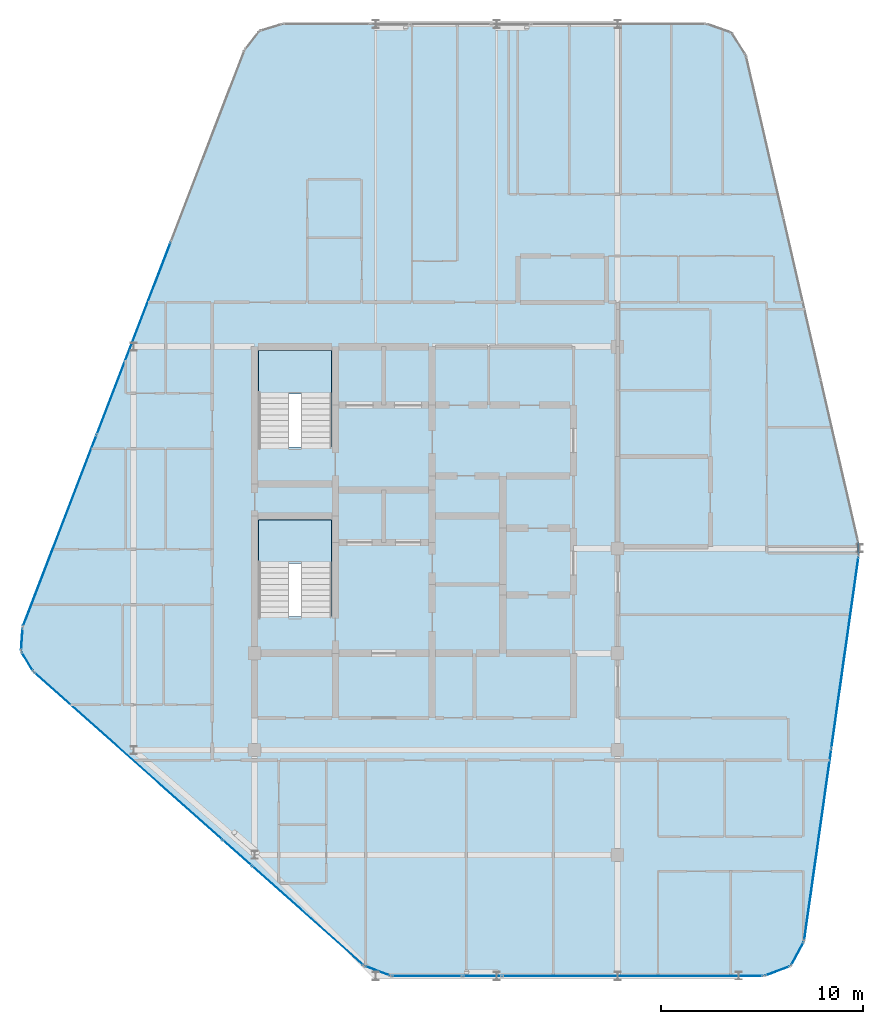
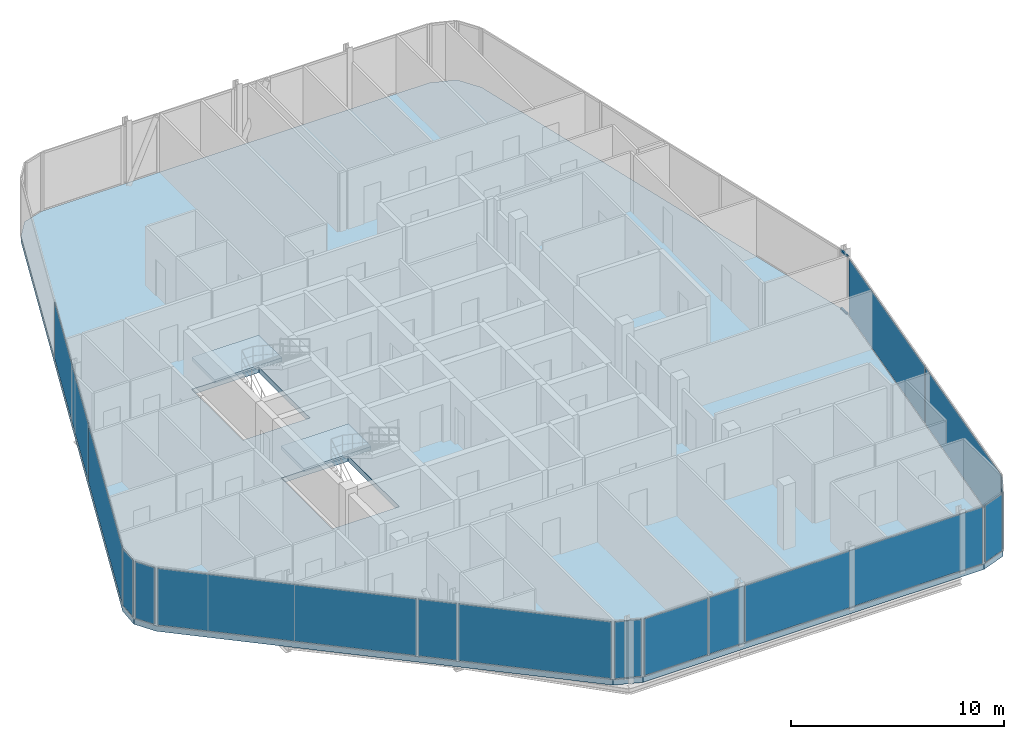
# One storey, part 20 of 27: 15 plates, 3 slabs, 2 members, 16 elements without a shape of their own.
"""IFC4 building model written with IfcOpenShell, lengths in metres."""

import ifcopenshell
import ifcopenshell.guid

model = None  # the IFC model being written
_history = None  # IfcOwnerHistory: only IFC2X3 demands one
_inside = {}  # id of a spatial element -> (the spatial element, [elements in it])
_under = {}  # id of a project, library or spatial element -> (it, [spatial elements below it])
_declared = {}  # id of a project -> (the project, [libraries it declares])
_typed = {}  # id of a type object -> (the type object, [elements of that type])
_made_of = {}  # id of a material, layer set ... -> (it, [elements and type objects made of it])


def new_model(schema):
    """Start an empty IFC model of exactly this schema.

    Asked for "IFC4X3", IfcOpenShell would pick the latest addendum, in which some entities
    have other attributes; the version numbers below select the first issue.
    IFC2X3 requires an IfcOwnerHistory on every rooted entity: one is made here for all.
    """
    global model, _history
    if schema == "IFC4X3":
        model = ifcopenshell.file(schema_version=(4, 3, 0, 0))
    else:
        model = ifcopenshell.file(schema=schema)
    _inside.clear()
    _under.clear()
    _declared.clear()
    _typed.clear()
    _made_of.clear()
    _history = None
    if model.schema == "IFC2X3":
        org = make("IfcOrganization", Name="unknown")
        user = make(
            "IfcPersonAndOrganization",
            ThePerson=make("IfcPerson", FamilyName="unknown"),
            TheOrganization=org,
        )
        app = make(
            "IfcApplication",
            ApplicationDeveloper=org,
            Version="unknown",
            ApplicationFullName="unknown",
            ApplicationIdentifier="unknown",
        )
        _history = make(
            "IfcOwnerHistory",
            OwningUser=user,
            OwningApplication=app,
            ChangeAction="ADDED",
            CreationDate=0,
        )
    return model


def make(cls, **values):
    """One entity of the class cls with the attributes given. An attribute that is None is left unset."""
    return model.create_entity(
        cls, **{name: value for name, value in values.items() if value is not None}
    )


def rooted(cls, **values):
    """An entity with a GlobalId (a new one), such as an element, a storey or a relation."""
    return make(cls, GlobalId=ifcopenshell.guid.new(), OwnerHistory=_history, **values)


def si_unit(unit_type, name, prefix=None):
    """IfcSIUnit, for example si_unit("LENGTHUNIT", "METRE", prefix="MILLI")."""
    return make("IfcSIUnit", UnitType=unit_type, Prefix=prefix, Name=name)


def assignment(units):
    """IfcUnitAssignment: the units of a project."""
    return None if units is None else make("IfcUnitAssignment", Units=units)


def point(xyz):
    """IfcCartesianPoint."""
    return None if xyz is None else make("IfcCartesianPoint", Coordinates=xyz)


def direction(xyz):
    """IfcDirection."""
    return None if xyz is None else make("IfcDirection", DirectionRatios=xyz)


def frame(location, z_axis=None, x_axis=None):
    """IfcAxis2Placement3D, a coordinate frame: its origin and axes. An axis left out is left unset."""
    return make(
        "IfcAxis2Placement3D",
        Location=point(location),
        Axis=direction(z_axis),
        RefDirection=direction(x_axis),
    )


def frame_2d(location, x_axis=None):
    """IfcAxis2Placement2D, a coordinate frame in the plane: its origin and x axis."""
    return make(
        "IfcAxis2Placement2D", Location=point(location), RefDirection=direction(x_axis)
    )


def origin():
    """The frame at (0, 0, 0) with its axes left unset."""
    return frame((0.0, 0.0, 0.0))


def origin_2d():
    """The frame at (0, 0) in the plane with its x axis left unset."""
    return frame_2d((0.0, 0.0))


def place(relative_to, where):
    """IfcLocalPlacement: puts the frame where relative to a parent placement (None: the world)."""
    return make(
        "IfcLocalPlacement", PlacementRelTo=relative_to, RelativePlacement=where
    )


def context(
    kind, dimensions, precision=None, world=None, true_north=None, identifier=None
):
    """IfcGeometricRepresentationContext, for example the 3D "Model" context."""
    return make(
        "IfcGeometricRepresentationContext",
        ContextIdentifier=identifier,
        ContextType=kind,
        CoordinateSpaceDimension=dimensions,
        Precision=precision,
        WorldCoordinateSystem=world,
        TrueNorth=true_north,
    )


def subcontext(parent, identifier, kind, view, scale=None):
    """IfcGeometricRepresentationSubContext, for example "Body" below "Model"."""
    return make(
        "IfcGeometricRepresentationSubContext",
        ContextIdentifier=identifier,
        ContextType=kind,
        ParentContext=parent,
        TargetScale=scale,
        TargetView=view,
    )


def project(units=None, contexts=None):
    """IfcProject with its units and contexts."""
    return rooted(
        "IfcProject",
        Name="project",
        RepresentationContexts=contexts,
        UnitsInContext=assignment(units),
    )


def spatial(cls, under=None, at=None, **own):
    """A site, building, storey or space (cls), placed at a placement, below another one or the project."""
    s = rooted(cls, ObjectPlacement=at, **own)
    if under is not None:
        _under.setdefault(under.id(), (under, []))[1].append(s)
    return s


def polyline(points):
    """IfcPolyline through the points."""
    return make("IfcPolyline", Points=[point(p) for p in points])


def profile(cls, at=None, kind="AREA", **sizes):
    """A parametric profile (cls). Its sizes go by their IFC names, for example OverallWidth=200.0."""
    return make(cls, ProfileType=kind, Position=at, **sizes)


def rectangle(**sizes):
    """IfcRectangleProfileDef."""
    return profile("IfcRectangleProfileDef", **sizes)


def hollow_rectangle(**sizes):
    """IfcRectangleHollowProfileDef."""
    return profile("IfcRectangleHollowProfileDef", **sizes)


def outline(outer, holes=None, kind="AREA"):
    """IfcArbitraryClosedProfileDef: a profile drawn as a closed curve; with holes, ...WithVoids."""
    if holes is None:
        return make("IfcArbitraryClosedProfileDef", ProfileType=kind, OuterCurve=outer)
    return make(
        "IfcArbitraryProfileDefWithVoids",
        ProfileType=kind,
        OuterCurve=outer,
        InnerCurves=holes,
    )


def extrude(swept, where, along, depth):
    """IfcExtrudedAreaSolid: the profile swept, set in the frame where, extruded along a direction by depth."""
    return make(
        "IfcExtrudedAreaSolid",
        SweptArea=swept,
        Position=where,
        ExtrudedDirection=direction(along),
        Depth=depth,
    )


def shape(context_of_items, identifier, shape_type, items):
    """IfcShapeRepresentation: the items that make up one representation, for example the "Body"."""
    return make(
        "IfcShapeRepresentation",
        ContextOfItems=context_of_items,
        RepresentationIdentifier=identifier,
        RepresentationType=shape_type,
        Items=items,
    )


def material(Name=None, Category=None):
    """IfcMaterial."""
    return make("IfcMaterial", Name=Name, Category=Category)


def layer(
    of_material, thickness, ventilated=None, Name=None, Category=None, Priority=None
):
    """IfcMaterialLayer: one layer of a wall or slab, of a material (None: an air gap)."""
    return make(
        "IfcMaterialLayer",
        Material=of_material,
        LayerThickness=thickness,
        IsVentilated=ventilated,
        Name=Name,
        Category=Category,
        Priority=Priority,
    )


def layer_set(layers, Name=None):
    """IfcMaterialLayerSet."""
    return make("IfcMaterialLayerSet", MaterialLayers=layers, LayerSetName=Name)


def material_profile(
    of_material, cross_section, Name=None, Category=None, Priority=None
):
    """IfcMaterialProfile: a cross section and its material."""
    return make(
        "IfcMaterialProfile",
        Name=Name,
        Material=of_material,
        Profile=cross_section,
        Priority=Priority,
        Category=Category,
    )


def profile_set(profiles, Name=None, composite=None):
    """IfcMaterialProfileSet."""
    return make(
        "IfcMaterialProfileSet",
        Name=Name,
        MaterialProfiles=profiles,
        CompositeProfile=composite,
    )


def made_of(thing, what):
    """Note that an element or type object is made of a material, layer set ...; save() writes the relation."""
    if what is not None:
        _made_of.setdefault(what.id(), (what, []))[1].append(thing)
    return thing


def type_object(cls, material=None, **own):
    """A type object (cls), such as IfcWallType, which elements share."""
    return made_of(rooted(cls, **own), material)


def element(
    cls,
    number,
    at=None,
    inside=None,
    cuts=None,
    type_object=None,
    material=None,
    context=None,
    identifier="Body",
    shape_type=None,
    held_by="IfcProductDefinitionShape",
    body=None,
    shapes=None,
    **own,
):
    """One element of the class cls, such as IfcWall. Its Tag is "e" and its number.

    at: its placement. inside: the storey or other place that contains it. cuts: it is an
    opening in that element (IfcRelVoidsElement). A single representation is given by context,
    identifier, shape_type and body (its items); several are given by shapes. held_by: the class
    of the entity that holds the representations. save() writes the other relations.
    """
    e = rooted(cls, Tag="e%d" % number, ObjectPlacement=at, **own)
    if body is not None:
        shapes = [shape(context, identifier, shape_type, body)]
    if shapes is not None:
        e.Representation = make(held_by, Representations=shapes)
    if inside is not None:
        _inside.setdefault(inside.id(), (inside, []))[1].append(e)
    if cuts is not None:
        rooted(
            "IfcRelVoidsElement", RelatingBuildingElement=cuts, RelatedOpeningElement=e
        )
    if type_object is not None:
        _typed.setdefault(type_object.id(), (type_object, []))[1].append(e)
    return made_of(e, material)


def aggregate(whole, parts):
    """IfcRelAggregates: a whole, such as a stair, and the parts it consists of."""
    return rooted("IfcRelAggregates", RelatingObject=whole, RelatedObjects=parts)


def save(model, path):
    """Write the relations noted so far, then the file.

    IfcRelAggregates (storeys below a building ...), IfcRelContainedInSpatialStructure (elements
    in a storey), IfcRelDefinesByType, IfcRelAssociatesMaterial and IfcRelDeclares: one each for
    every whole, place, type object, material and project.
    """
    for whole, parts in _under.values():
        aggregate(whole, parts)
    for where, things in _inside.values():
        rooted(
            "IfcRelContainedInSpatialStructure",
            RelatedElements=things,
            RelatingStructure=where,
        )
    for kind, things in _typed.values():
        rooted("IfcRelDefinesByType", RelatedObjects=things, RelatingType=kind)
    for what, things in _made_of.values():
        rooted("IfcRelAssociatesMaterial", RelatedObjects=things, RelatingMaterial=what)
    for by, libraries in _declared.values():
        rooted("IfcRelDeclares", RelatingContext=by, RelatedDefinitions=libraries)
    model.write(path)


model = new_model("IFC4")

# Units and contexts
model_context = context("Model", 3, precision=1e-05, world=origin(), true_north=direction((0.0, 1.0)))
body_context = subcontext(model_context, "Body", "Model", "MODEL_VIEW")
ifc_project = project(units=[si_unit("LENGTHUNIT", "METRE"), si_unit("AREAUNIT", "SQUARE_METRE"), si_unit("VOLUMEUNIT", "CUBIC_METRE"), si_unit("PLANEANGLEUNIT", "RADIAN"), si_unit("MASSUNIT", "GRAM", prefix="KILO")], contexts=[model_context])

# Site, building, storey
site_placement = place(None, origin())
site = spatial("IfcSite", under=ifc_project, at=site_placement, CompositionType="ELEMENT")
building_placement = place(site_placement, origin())
building = spatial("IfcBuilding", under=site, at=building_placement, Name="Keshet Zoharim Tower", CompositionType="ELEMENT")
storey_placement = place(building_placement, frame((0.0, 0.0, 291.699951171875)))
storey = spatial("IfcBuildingStorey", under=building, at=storey_placement, Name="L73", CompositionType="ELEMENT", Elevation=291.699951171875)

# Curtain wall, members
ifc_material_1 = material(Name="Aluminium 6063-T6", Category="aluminium")
ifc_layer_1 = layer(ifc_material_1, 0.260009765625)
ifc_layer_set_1 = layer_set([ifc_layer_1], Name="Aluminium 6063-T6")
curtain_wall_type = type_object("IfcCurtainWallType", Name="CW-SYS-06", PredefinedType="NOTDEFINED", material=ifc_layer_set_1)
curtain_wall_1_placement = place(storey_placement, origin())
curtain_wall_1 = element("IfcCurtainWall", 1, at=curtain_wall_1_placement, inside=storey, type_object=curtain_wall_type, Name="L73 Unitised Curtain Wall 10", PredefinedType="NOTDEFINED")
ifc_material_profile = material_profile(ifc_material_1, hollow_rectangle(XDim=0.074951171875, YDim=0.1201171875, WallThickness=0.00390625, at=origin_2d()), Name="TRN-75x120")
ifc_profile_set = profile_set([ifc_material_profile], Name="Aluminium 6063-T6")
member_type = type_object("IfcMemberType", Name="CWT-T12", PredefinedType="USERDEFINED", material=ifc_profile_set)
member_1_placement = place(storey_placement, frame((44.9189453125, 28.192138671875, 0.03515625), z_axis=(0.043813905352, -0.99903970977, 0.0), x_axis=(0.99903970977, 0.043813905352, 0.0)))
member_1 = element("IfcMember", 2, at=member_1_placement, type_object=member_type, Name="CW-06 transom 1.1", ObjectType="TRANSOM", PredefinedType="USERDEFINED", context=body_context, shape_type="SweptSolid", body=[
    extrude(hollow_rectangle(XDim=0.074951171875, YDim=0.1201171875, WallThickness=0.00390625, at=origin_2d()), origin(), (0.0, 0.0, 1.0), 0.590576171875),
])
member_2_placement = place(storey_placement, frame((44.9189453125, 28.192138671875, 3.35498046875), z_axis=(0.043813905352, -0.99903970977, 0.0), x_axis=(0.99903970977, 0.043813905352, 0.0)))
member_2 = element("IfcMember", 3, at=member_2_placement, type_object=member_type, Name="CW-06 transom 1.2", ObjectType="TRANSOM", PredefinedType="USERDEFINED", context=body_context, shape_type="SweptSolid", body=[
    extrude(hollow_rectangle(XDim=0.074951171875, YDim=0.1201171875, WallThickness=0.00390625, at=origin_2d()), origin(), (0.0, 0.0, 1.0), 0.590576171875),
])
aggregate(curtain_wall_1, [member_1, member_2])

# Curtain wall, plate
curtain_wall_2_placement = place(storey_placement, origin())
curtain_wall_2 = element("IfcCurtainWall", 4, at=curtain_wall_2_placement, inside=storey, type_object=curtain_wall_type, Name="L73 Unitised Curtain Wall 01", PredefinedType="NOTDEFINED")
ifc_material_2 = material(Name="Insulated Low-E Clear Glass", Category="glass")
ifc_layer_2 = layer(ifc_material_2, 0.028076171875)
ifc_layer_set_2 = layer_set([ifc_layer_2], Name="Insulated Low-E Clear Glass")
plate_type_1 = type_object("IfcPlateType", Name="CWP-03", PredefinedType="CURTAIN_PANEL", material=ifc_layer_set_2)
plate_1_placement = place(storey_placement, frame((3.7275390625, 22.291015625, 0.070068359375), z_axis=(0.0, 0.0, 1.0), x_axis=(-0.515604947933, 0.856826433805, 0.0)))
plate_1 = element("IfcPlate", 5, at=plate_1_placement, type_object=plate_type_1, Name="CW-06 panel 1.1", PredefinedType="CURTAIN_PANEL", context=body_context, shape_type="SweptSolid", body=[
    extrude(rectangle(XDim=1.052734375, YDim=0.028076171875, at=origin_2d()), origin(), (0.0, 0.0, 1.0), 3.25),
])
aggregate(curtain_wall_2, [plate_1])

curtain_wall_3_placement = place(storey_placement, origin())
curtain_wall_3 = element("IfcCurtainWall", 6, at=curtain_wall_3_placement, inside=storey, type_object=curtain_wall_type, Name="L73 Unitised Curtain Wall 02", PredefinedType="NOTDEFINED")
plate_2_placement = place(storey_placement, frame((3.45849609375, 23.3974609375, 0.070068359375), z_axis=(0.0, 0.0, 1.0), x_axis=(0.064516859374, 0.997916617186, 0.0)))
plate_2 = element("IfcPlate", 7, at=plate_2_placement, type_object=plate_type_1, Name="CW-06 panel 1.1", PredefinedType="CURTAIN_PANEL", context=body_context, shape_type="SweptSolid", body=[
    extrude(rectangle(XDim=1.053466796875, YDim=0.028076171875, at=origin_2d()), origin(), (0.0, 0.0, 1.0), 3.25),
])
aggregate(curtain_wall_3, [plate_2])

# Curtain wall, plates
curtain_wall_4_placement = place(storey_placement, origin())
curtain_wall_4 = element("IfcCurtainWall", 8, at=curtain_wall_4_placement, inside=storey, type_object=curtain_wall_type, Name="L73 Unitised Curtain Wall 03", PredefinedType="NOTDEFINED")
plate_3_placement = place(storey_placement, frame((5.33837890625, 28.7802734375, 0.070068359375), z_axis=(0.0, 0.0, 1.0), x_axis=(0.358990003907, 0.933341404361, 0.0)))
plate_3 = element("IfcPlate", 9, at=plate_3_placement, type_object=plate_type_1, Name="CW-06 panel 1.1", PredefinedType="CURTAIN_PANEL", context=body_context, shape_type="SweptSolid", body=[
    extrude(rectangle(XDim=10.1181640625, YDim=0.028076171875, at=origin_2d()), origin(), (0.0, 0.0, 1.0), 3.25),
])
plate_4_placement = place(storey_placement, frame((9.001953125, 38.305419921875, 0.070068359375), z_axis=(0.0, 0.0, 1.0), x_axis=(0.358990003907, 0.933341404361, 0.0)))
plate_4 = element("IfcPlate", 10, at=plate_4_placement, type_object=plate_type_1, Name="CW-06 panel 2.1", PredefinedType="CURTAIN_PANEL", context=body_context, shape_type="SweptSolid", body=[
    extrude(rectangle(XDim=10.153076171875, YDim=0.028076171875, at=origin_2d()), origin(), (0.0, 0.0, 1.0), 3.25),
])
aggregate(curtain_wall_4, [plate_3, plate_4])

curtain_wall_5_placement = place(storey_placement, origin())
curtain_wall_5 = element("IfcCurtainWall", 11, at=curtain_wall_5_placement, inside=storey, type_object=curtain_wall_type, Name="L73 Unitised Curtain Wall 11", PredefinedType="NOTDEFINED")
plate_5_placement = place(storey_placement, frame((44.269287109375, 22.736572265625, 0.070068359375), z_axis=(0.0, 0.0, 1.0), x_axis=(-0.140137464177, -0.990132057422, 0.0)))
plate_5 = element("IfcPlate", 12, at=plate_5_placement, type_object=plate_type_1, Name="CW-06 panel 1.1", PredefinedType="CURTAIN_PANEL", context=body_context, shape_type="SweptSolid", body=[
    extrude(rectangle(XDim=9.546142578125, YDim=0.028076171875, at=origin_2d()), origin(), (0.0, 0.0, 1.0), 3.25),
])
plate_6_placement = place(storey_placement, frame((42.921630859375, 13.21533203125, 0.070068359375), z_axis=(0.0, 0.0, 1.0), x_axis=(-0.140137464177, -0.990132057422, 0.0)))
plate_6 = element("IfcPlate", 13, at=plate_6_placement, type_object=plate_type_1, Name="CW-06 panel 2.1", PredefinedType="CURTAIN_PANEL", context=body_context, shape_type="SweptSolid", body=[
    extrude(rectangle(XDim=9.546142578125, YDim=0.028076171875, at=origin_2d()), origin(), (0.0, 0.0, 1.0), 3.25),
])
aggregate(curtain_wall_5, [plate_5, plate_6])

# Curtain wall, plate
curtain_wall_6_placement = place(storey_placement, origin())
curtain_wall_6 = element("IfcCurtainWall", 14, at=curtain_wall_6_placement, inside=storey, type_object=curtain_wall_type, Name="L73 Unitised Curtain Wall 12", PredefinedType="NOTDEFINED")
plate_7_placement = place(storey_placement, frame((41.908447265625, 7.804931640625, 0.070068359375), z_axis=(0.0, 0.0, 1.0), x_axis=(-0.477800955789, -0.878468125004, 0.0)))
plate_7 = element("IfcPlate", 15, at=plate_7_placement, type_object=plate_type_1, Name="CW-06 panel 1.1", PredefinedType="CURTAIN_PANEL", context=body_context, shape_type="SweptSolid", body=[
    extrude(rectangle(XDim=1.26025390625, YDim=0.028076171875, at=origin_2d()), origin(), (0.0, 0.0, 1.0), 3.25),
])
aggregate(curtain_wall_6, [plate_7])

curtain_wall_7_placement = place(storey_placement, origin())
curtain_wall_7 = element("IfcCurtainWall", 16, at=curtain_wall_7_placement, inside=storey, type_object=curtain_wall_type, Name="L73 Unitised Curtain Wall 13", PredefinedType="NOTDEFINED")
plate_8_placement = place(storey_placement, frame((40.91845703125, 6.945068359375, 0.070068359375), z_axis=(0.0, 0.0, 1.0), x_axis=(-0.936710343781, -0.350105315376, 0.0)))
plate_8 = element("IfcPlate", 17, at=plate_8_placement, type_object=plate_type_1, Name="CW-06 panel 1.1", PredefinedType="CURTAIN_PANEL", context=body_context, shape_type="SweptSolid", body=[
    extrude(rectangle(XDim=1.259521484375, YDim=0.028076171875, at=origin_2d()), origin(), (0.0, 0.0, 1.0), 3.25),
])
aggregate(curtain_wall_7, [plate_8])

curtain_wall_8_placement = place(storey_placement, origin())
curtain_wall_8 = element("IfcCurtainWall", 18, at=curtain_wall_8_placement, inside=storey, type_object=curtain_wall_type, Name="L73 Unitised Curtain Wall 14", PredefinedType="NOTDEFINED")
plate_9_placement = place(storey_placement, frame((33.743896484375, 6.699951171875, 0.070068359375), z_axis=(0.0, 0.0, 1.0), x_axis=(-1.0, 0.0, 0.0)))
plate_9 = element("IfcPlate", 19, at=plate_9_placement, type_object=plate_type_1, Name="CW-06 panel 1.1", PredefinedType="CURTAIN_PANEL", context=body_context, shape_type="SweptSolid", body=[
    extrude(rectangle(XDim=12.898193359375, YDim=0.028076171875, at=origin_2d()), origin(), (0.0, 0.0, 1.0), 3.25),
])
aggregate(curtain_wall_8, [plate_9])

curtain_wall_9_placement = place(storey_placement, origin())
curtain_wall_9 = element("IfcCurtainWall", 20, at=curtain_wall_9_placement, inside=storey, type_object=curtain_wall_type, Name="L73 Unitised Curtain Wall 14 Part 3", PredefinedType="NOTDEFINED")
plate_10_placement = place(storey_placement, frame((23.552490234375, 6.699951171875, 0.070068359375), z_axis=(0.0, 0.0, 1.0), x_axis=(-1.0, 0.0, 0.0)))
plate_10 = element("IfcPlate", 21, at=plate_10_placement, type_object=plate_type_1, Name="CW-06 panel 1.1", PredefinedType="CURTAIN_PANEL", context=body_context, shape_type="SweptSolid", body=[
    extrude(rectangle(XDim=3.4453125, YDim=0.028076171875, at=origin_2d()), origin(), (0.0, 0.0, 1.0), 3.25),
])
aggregate(curtain_wall_9, [plate_10])

curtain_wall_10_placement = place(storey_placement, origin())
curtain_wall_10 = element("IfcCurtainWall", 22, at=curtain_wall_10_placement, inside=storey, type_object=curtain_wall_type, Name="L73 Unitised Curtain Wall 15", PredefinedType="NOTDEFINED")
plate_11_placement = place(storey_placement, frame((21.095947265625, 6.952392578125, 0.070068359375), z_axis=(0.0, 0.0, 1.0), x_axis=(-0.934699418314, 0.355439161326, 0.0)))
plate_11 = element("IfcPlate", 23, at=plate_11_placement, type_object=plate_type_1, Name="CW-06 panel 1.1", PredefinedType="CURTAIN_PANEL", context=body_context, shape_type="SweptSolid", body=[
    extrude(rectangle(XDim=1.28076171875, YDim=0.028076171875, at=origin_2d()), origin(), (0.0, 0.0, 1.0), 3.25),
])
aggregate(curtain_wall_10, [plate_11])

curtain_wall_11_placement = place(storey_placement, origin())
curtain_wall_11 = element("IfcCurtainWall", 24, at=curtain_wall_11_placement, inside=storey, type_object=curtain_wall_type, Name="L73 Unitised Curtain Wall 16", PredefinedType="NOTDEFINED")
plate_12_placement = place(storey_placement, frame((17.634521484375, 9.691650390625, 0.070068359375), z_axis=(0.0, 0.0, 1.0), x_axis=(-0.747410792699, 0.664362180559, 0.0)))
plate_12 = element("IfcPlate", 25, at=plate_12_placement, type_object=plate_type_1, Name="CW-06 panel 1.1", PredefinedType="CURTAIN_PANEL", context=body_context, shape_type="SweptSolid", body=[
    extrude(rectangle(XDim=7.345947265625, YDim=0.028076171875, at=origin_2d()), origin(), (0.0, 0.0, 1.0), 3.25),
])
aggregate(curtain_wall_11, [plate_12])

curtain_wall_12_placement = place(storey_placement, origin())
curtain_wall_12 = element("IfcCurtainWall", 26, at=curtain_wall_12_placement, inside=storey, type_object=curtain_wall_type, Name="L73 Unitised Curtain Wall 16 Part 3", PredefinedType="NOTDEFINED")
plate_13_placement = place(storey_placement, frame((8.7333984375, 17.603515625, 0.070068359375), z_axis=(0.0, 0.0, 1.0), x_axis=(-0.747409318679, 0.664363838836, 0.0)))
plate_13 = element("IfcPlate", 27, at=plate_13_placement, type_object=plate_type_1, Name="CW-06 panel 1.1", PredefinedType="CURTAIN_PANEL", context=body_context, shape_type="SweptSolid", body=[
    extrude(rectangle(XDim=12.432861328125, YDim=0.028076171875, at=origin_2d()), origin(), (0.0, 0.0, 1.0), 3.25),
])
aggregate(curtain_wall_12, [plate_13])

curtain_wall_13_placement = place(storey_placement, origin())
curtain_wall_13 = element("IfcCurtainWall", 28, at=curtain_wall_13_placement, inside=storey, type_object=curtain_wall_type, Name="L73 Unitised Curtain Wall 14 Part 2", PredefinedType="NOTDEFINED")
ifc_material_3 = material(Name="Insulated Aluminium Spandrel Panel", Category="aluminium")
ifc_layer_3 = layer(ifc_material_3, 0.028076171875)
ifc_layer_set_3 = layer_set([ifc_layer_3], Name="Insulated Aluminium Spandrel Panel")
plate_type_2 = type_object("IfcPlateType", Name="CWP-06", PredefinedType="CURTAIN_PANEL", material=ifc_layer_set_3)
plate_14_placement = place(storey_placement, frame((26.284912109375, 6.699951171875, 0.070068359375), z_axis=(0.0, 0.0, 1.0), x_axis=(-1.0, 0.0, 0.0)))
plate_14 = element("IfcPlate", 29, at=plate_14_placement, type_object=plate_type_2, Name="CW-06 spandrel panel 1.1", PredefinedType="CURTAIN_PANEL", context=body_context, shape_type="SweptSolid", body=[
    extrude(rectangle(XDim=1.879638671875, YDim=0.028076171875, at=origin_2d()), origin(), (0.0, 0.0, 1.0), 3.25),
])
aggregate(curtain_wall_13, [plate_14])

curtain_wall_14_placement = place(storey_placement, origin())
curtain_wall_14 = element("IfcCurtainWall", 30, at=curtain_wall_14_placement, inside=storey, type_object=curtain_wall_type, Name="L73 Unitised Curtain Wall 16 Part 2", PredefinedType="NOTDEFINED")
plate_15_placement = place(storey_placement, frame((14.134521484375, 12.802734375, 0.070068359375), z_axis=(0.0, 0.0, 1.0), x_axis=(-0.747431957629, 0.664338369143, 0.0)))
plate_15 = element("IfcPlate", 31, at=plate_15_placement, type_object=plate_type_2, Name="CW-06 spandrel panel 1.1", PredefinedType="CURTAIN_PANEL", context=body_context, shape_type="SweptSolid", body=[
    extrude(rectangle(XDim=1.879638671875, YDim=0.028076171875, at=origin_2d()), origin(), (0.0, 0.0, 1.0), 3.25),
])
aggregate(curtain_wall_14, [plate_15])

# Stair, slab
ifc_material_4 = material(Name="Concrete C50/60", Category="concrete")
stair_type = type_object("IfcStairType", Name="STR-EXIT-135", PredefinedType="HALF_TURN_STAIR", material=ifc_material_4)
stair_1_placement = place(storey_placement, origin())
stair_1 = element("IfcStair", 32, at=stair_1_placement, inside=storey, type_object=stair_type, Name="L73 Enclosed Exit Stair ST-01", PredefinedType="HALF_TURN_STAIR")
ifc_layer_4 = layer(ifc_material_4, 0.199951171875)
ifc_layer_set_4 = layer_set([ifc_layer_4], Name="Concrete C50/60")
slab_type_1 = type_object("IfcSlabType", Name="SLB-LND-200", PredefinedType="LANDING", material=ifc_layer_set_4)
slab_1_placement = place(storey_placement, frame((0.0, 0.0, 1.650146484375)))
slab_1 = element("IfcSlab", 33, at=slab_1_placement, type_object=slab_type_1, Name="ST-01 landing 1", PredefinedType="LANDING", context=body_context, shape_type="SweptSolid", body=[
    extrude(outline(polyline([(15.179931640625, 27.159912109375), (18.820068359375, 27.159912109375), (18.820068359375, 29.320068359375), (15.179931640625, 29.320068359375), (15.179931640625, 27.159912109375)])), origin(), (0.0, 0.0, 1.0), 0.199951171875),
])
aggregate(stair_1, [slab_1])

stair_2_placement = place(storey_placement, origin())
stair_2 = element("IfcStair", 34, at=stair_2_placement, inside=storey, type_object=stair_type, Name="L73 Enclosed Exit Stair ST-02", PredefinedType="HALF_TURN_STAIR")
slab_2_placement = place(storey_placement, frame((0.0, 0.0, 1.650146484375)))
slab_2 = element("IfcSlab", 35, at=slab_2_placement, type_object=slab_type_1, Name="ST-02 landing 1", PredefinedType="LANDING", context=body_context, shape_type="SweptSolid", body=[
    extrude(outline(polyline([(15.179931640625, 35.56005859375), (18.820068359375, 35.56005859375), (18.820068359375, 37.719970703125), (15.179931640625, 37.719970703125), (15.179931640625, 35.56005859375)])), origin(), (0.0, 0.0, 1.0), 0.199951171875),
])
aggregate(stair_2, [slab_2])

# Slab
ifc_layer_5 = layer(ifc_material_4, 0.31005859375)
ifc_layer_set_5 = layer_set([ifc_layer_5], Name="Concrete C50/60")
slab_type_2 = type_object("IfcSlabType", Name="SLB-UPP-240", PredefinedType="FLOOR", material=ifc_layer_set_5)
slab_3_placement = place(storey_placement, frame((0.0, 0.0, -0.31005859375)))
element("IfcSlab", 36, at=slab_3_placement, inside=storey, type_object=slab_type_2, Name="L73 Structural Floor Slab 1", PredefinedType="FLOOR", context=body_context, shape_type="SweptSolid", body=[
    extrude(outline(polyline([(4.034912109375, 21.780029296875), (3.419921875, 22.802001953125), (3.4970703125, 23.992919921875), (14.507080078125, 52.617919921875), (15.240966796875, 53.549072265625), (16.3740234375, 53.89990234375), (37.408935546875, 53.89990234375), (38.654052734375, 53.465087890625), (39.35791015625, 52.35009765625), (44.916015625, 28.261962890625), (44.947998046875, 27.531982421875), (42.242919921875, 8.419921875), (41.573974609375, 7.18994140625), (40.262939453125, 6.699951171875), (21.760009765625, 6.699951171875), (20.431884765625, 7.205078125), (4.034912109375, 21.780029296875)]), holes=[polyline([(15.179931640625, 24.52001953125), (18.820068359375, 24.52001953125), (18.820068359375, 29.320068359375), (15.179931640625, 29.320068359375), (15.179931640625, 24.52001953125)]), polyline([(15.179931640625, 32.919921875), (18.820068359375, 32.919921875), (18.820068359375, 37.719970703125), (15.179931640625, 37.719970703125), (15.179931640625, 32.919921875)])]), origin(), (0.0, 0.0, 1.0), 0.31005859375),
])

save(model, "model.ifc")
